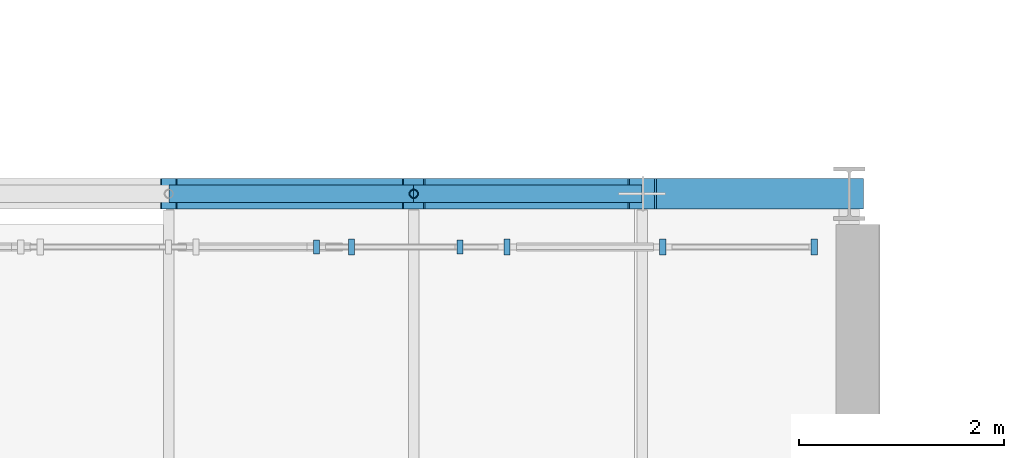
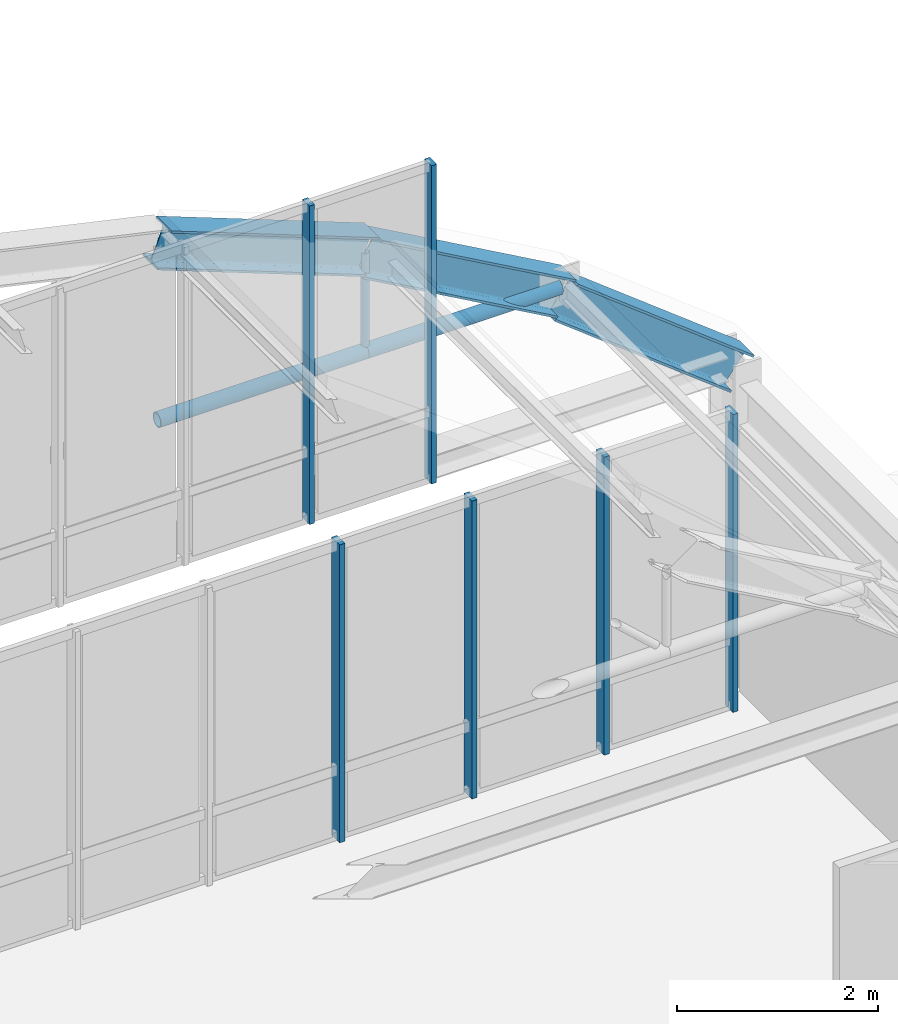
# One storey, part 83 of 148: 9 members, 3 beams, 2 elements without a shape of their own.
"""IFC4 building model written with IfcOpenShell, lengths in metres."""

from ifc_helpers import new_model, si_unit, direction, frame, origin, origin_2d, place, context, subcontext, project, spatial, rectangle, hollow_circle, i_section, extrude, material, layer, layer_set, material_profile, profile_set, type_object, element, aggregate, save


model = new_model("IFC4")

# Units and contexts
model_context = context("Model", 3, precision=1e-05, world=origin(), true_north=direction((0.0, 1.0)))
body_context = subcontext(model_context, "Body", "Model", "MODEL_VIEW")
ifc_project = project(units=[si_unit("LENGTHUNIT", "METRE"), si_unit("AREAUNIT", "SQUARE_METRE"), si_unit("VOLUMEUNIT", "CUBIC_METRE"), si_unit("PLANEANGLEUNIT", "RADIAN"), si_unit("MASSUNIT", "GRAM", prefix="KILO"), si_unit("THERMODYNAMICTEMPERATUREUNIT", "KELVIN"), si_unit("POWERUNIT", "WATT")], contexts=[model_context])

# Site, building, storey
site_placement = place(None, origin())
site = spatial("IfcSite", under=ifc_project, at=site_placement, CompositionType="ELEMENT")
building_placement = place(site_placement, origin())
building = spatial("IfcBuilding", under=site, at=building_placement, Name="Solvatero Civic Police Headquarters", CompositionType="ELEMENT")
storey_placement = place(building_placement, frame((0.0, 0.0, 5.10009765625)))
storey = spatial("IfcBuildingStorey", under=building, at=storey_placement, Name="L01", CompositionType="ELEMENT", Elevation=5.10009765625)

# Beams
ifc_material_1 = material(Name="Steel S355", Category="steel")
ifc_material_profile_1 = material_profile(ifc_material_1, i_section(OverallWidth=0.300048828125, OverallDepth=0.449951171875, WebThickness=0.013916015625, FlangeThickness=0.02587890625, FilletRadius=0.027099609375, at=origin_2d()), Name="HEB 450")
ifc_profile_set_1 = profile_set([ifc_material_profile_1], Name="Steel S355")
beam_type = type_object("IfcBeamType", Name="BM-ST-HEB450", PredefinedType="BEAM", material=ifc_profile_set_1)
for number, where, z_axis, x_axis, name in (
    (1, (115.55517578125, 46.800048828125, 7.53955078125), (0.933355429458, 0.0, -0.358953537802), (0.0, 1.0, 0.0), "VLT1 Tied-Arch Vault Top Chord F8.8"),
    (2, (117.946533203125, 46.800048828125, 6.590087890625), (0.870765086908, 0.0, -0.491699261156), (0.0, 1.0, 0.0), "VLT1 Tied-Arch Vault Top Chord F8.9"),
    (3, (120.177490234375, 46.800048828125, 5.284912109375), (0.789403525995, 0.0, -0.613874639602), (0.0, 1.0, 0.0), "VLT1 Tied-Arch Vault Top Chord F8.10"),
):
    element("IfcBeam", number, at=place(storey_placement, frame(where, z_axis=z_axis, x_axis=x_axis)), inside=storey, type_object=beam_type, Name=name, PredefinedType="BEAM", context=body_context, shape_type="SweptSolid", body=[
        extrude(i_section(OverallWidth=0.300048828125, OverallDepth=0.449951171875, WebThickness=0.013916015625, FlangeThickness=0.02587890625, FilletRadius=0.027099609375, at=origin_2d()), origin(), (0.0, 0.0, 1.0), 2.56201171875),
    ])

# Curtain wall, members
ifc_material_2 = material(Name="Anodized Bronze Aluminium", Category="aluminium")
ifc_layer_1 = layer(ifc_material_2, 0.179931640625)
ifc_layer_set_1 = layer_set([ifc_layer_1], Name="Anodized Bronze Aluminium")
curtain_wall_type_1 = type_object("IfcCurtainWallType", Name="CW-VLT-TYMP", PredefinedType="USERDEFINED", material=ifc_layer_set_1)
curtain_wall_1_placement = place(storey_placement, origin())
curtain_wall_1 = element("IfcCurtainWall", 4, at=curtain_wall_1_placement, inside=storey, type_object=curtain_wall_type_1, Name="Curtain Wall CW-R2-L01-VLT1-N", ObjectType="UNITISED", PredefinedType="USERDEFINED")
ifc_material_profile_2 = material_profile(ifc_material_2, rectangle(XDim=0.06005859375, YDim=0.139892578125, at=origin_2d()), Name="ALU MULLION 60x140")
ifc_profile_set_2 = profile_set([ifc_material_profile_2], Name="Anodized Bronze Aluminium")
member_type_1 = type_object("IfcMemberType", Name="CWM-160x65", PredefinedType="MULLION", material=ifc_profile_set_2)
member_1_placement = place(storey_placement, frame((116.996337890625, 46.280029296875, 3.97998046875), z_axis=(0.0, 0.0, 1.0), x_axis=(1.0, 0.0, 0.0)))
member_1 = element("IfcMember", 5, at=member_1_placement, type_object=member_type_1, Name="CW-R2-L01-VLT1-N Mullion 11", PredefinedType="MULLION", context=body_context, shape_type="SweptSolid", body=[
    extrude(rectangle(XDim=0.06005859375, YDim=0.139892578125, at=origin_2d()), origin(), (0.0, 0.0, 1.0), 3.869873046875),
])
member_2_placement = place(storey_placement, frame((118.39990234375, 46.280029296875, 3.97998046875), z_axis=(0.0, 0.0, 1.0), x_axis=(1.0, 0.0, 0.0)))
member_2 = element("IfcMember", 6, at=member_2_placement, type_object=member_type_1, Name="CW-R2-L01-VLT1-N Mullion 12", PredefinedType="MULLION", context=body_context, shape_type="SweptSolid", body=[
    extrude(rectangle(XDim=0.06005859375, YDim=0.139892578125, at=origin_2d()), origin(), (0.0, 0.0, 1.0), 3.869873046875),
])
aggregate(curtain_wall_1, [member_1, member_2])

ifc_layer_2 = layer(ifc_material_2, 0.179931640625)
ifc_layer_set_2 = layer_set([ifc_layer_2], Name="Anodized Bronze Aluminium")
curtain_wall_type_2 = type_object("IfcCurtainWallType", Name="CW-HAL-GLZ", PredefinedType="USERDEFINED", material=ifc_layer_set_2)
curtain_wall_2_placement = place(storey_placement, origin())
curtain_wall_2 = element("IfcCurtainWall", 7, at=curtain_wall_2_placement, inside=storey, type_object=curtain_wall_type_2, Name="Curtain Wall CW-R2-L01-V1-N", ObjectType="UNITISED", PredefinedType="USERDEFINED")
ifc_material_profile_3 = material_profile(ifc_material_2, rectangle(XDim=0.06005859375, YDim=0.159912109375, at=origin_2d()), Name="ALU MULLION 60x160")
ifc_profile_set_3 = profile_set([ifc_material_profile_3], Name="Anodized Bronze Aluminium")
member_type_2 = type_object("IfcMemberType", Name="CWM-180x70", PredefinedType="MULLION", material=ifc_profile_set_3)
member_3_placement = place(storey_placement, frame((117.3388671875, 46.280029296875, 0.0), z_axis=(0.0, 0.0, 1.0), x_axis=(1.0, 0.0, 0.0)))
member_3 = element("IfcMember", 8, at=member_3_placement, type_object=member_type_2, Name="CW-R2-L01-V1-N Mullion 13", PredefinedType="MULLION", context=body_context, shape_type="SweptSolid", body=[
    extrude(rectangle(XDim=0.06005859375, YDim=0.159912109375, at=origin_2d()), origin(), (0.0, 0.0, 1.0), 3.619873046875),
])
member_4_placement = place(storey_placement, frame((118.8583984375, 46.280029296875, 0.0), z_axis=(0.0, 0.0, 1.0), x_axis=(1.0, 0.0, 0.0)))
member_4 = element("IfcMember", 9, at=member_4_placement, type_object=member_type_2, Name="CW-R2-L01-V1-N Mullion 14", PredefinedType="MULLION", context=body_context, shape_type="SweptSolid", body=[
    extrude(rectangle(XDim=0.06005859375, YDim=0.159912109375, at=origin_2d()), origin(), (0.0, 0.0, 1.0), 3.619873046875),
])
member_5_placement = place(storey_placement, frame((120.37841796875, 46.280029296875, 0.0), z_axis=(0.0, 0.0, 1.0), x_axis=(1.0, 0.0, 0.0)))
member_5 = element("IfcMember", 10, at=member_5_placement, type_object=member_type_2, Name="CW-R2-L01-V1-N Mullion 15", PredefinedType="MULLION", context=body_context, shape_type="SweptSolid", body=[
    extrude(rectangle(XDim=0.06005859375, YDim=0.159912109375, at=origin_2d()), origin(), (0.0, 0.0, 1.0), 3.619873046875),
])
member_6_placement = place(storey_placement, frame((121.85791015625, 46.280029296875, 0.0), z_axis=(0.0, 0.0, 1.0), x_axis=(1.0, 0.0, 0.0)))
member_6 = element("IfcMember", 11, at=member_6_placement, type_object=member_type_2, Name="CW-R2-L01-V1-N Mullion 16", PredefinedType="MULLION", context=body_context, shape_type="SweptSolid", body=[
    extrude(rectangle(XDim=0.06005859375, YDim=0.159912109375, at=origin_2d()), origin(), (0.0, 0.0, 1.0), 3.619873046875),
])
aggregate(curtain_wall_2, [member_3, member_4, member_5, member_6])

# Members
ifc_material_profile_4 = material_profile(ifc_material_1, hollow_circle(Radius=0.04443359375, WallThickness=0.00634765625, at=origin_2d()), Name="CHS 88.9x6.3")
ifc_profile_set_4 = profile_set([ifc_material_profile_4], Name="Steel S355")
member_type_3 = type_object("IfcMemberType", Name="MB-HNG-CHS89", PredefinedType="STRUT", material=ifc_profile_set_4)
member_7_placement = place(storey_placement, frame((117.946533203125, 46.800048828125, 5.431640625), z_axis=(0.0, 0.0, 1.0), x_axis=(1.0, 0.0, 0.0)))
element("IfcMember", 12, at=member_7_placement, inside=storey, type_object=member_type_3, Name="VLT1 Vault Vertical Hanger F8.8", PredefinedType="STRUT", context=body_context, shape_type="SweptSolid", body=[
    extrude(hollow_circle(Radius=0.04443359375, WallThickness=0.00634765625, at=origin_2d()), origin(), (0.0, 0.0, 1.0), 1.169677734375),
])
ifc_material_profile_5 = material_profile(ifc_material_1, hollow_circle(Radius=0.084228515625, WallThickness=0.010009765625, at=origin_2d()), Name="CHS 168.3x10.0")
ifc_profile_set_5 = profile_set([ifc_material_profile_5], Name="Steel S355")
member_type_4 = type_object("IfcMemberType", Name="MB-TIE-CHS168", PredefinedType="CHORD", material=ifc_profile_set_5)
member_8_placement = place(storey_placement, frame((115.55517578125, 46.800048828125, 5.3916015625), z_axis=(1.0, 0.0, 0.0), x_axis=(0.0, 1.0, 0.0)))
element("IfcMember", 13, at=member_8_placement, inside=storey, type_object=member_type_4, Name="VLT1 Vault Horizontal Tie Chord F8.7", PredefinedType="CHORD", context=body_context, shape_type="SweptSolid", body=[
    extrude(hollow_circle(Radius=0.084228515625, WallThickness=0.010009765625, at=origin_2d()), origin(), (0.0, 0.0, 1.0), 2.391357421875),
])
member_9_placement = place(storey_placement, frame((117.946533203125, 46.800048828125, 5.3916015625), z_axis=(1.0, 0.0, 0.0), x_axis=(0.0, 1.0, 0.0)))
element("IfcMember", 14, at=member_9_placement, inside=storey, type_object=member_type_4, Name="VLT1 Vault Horizontal Tie Chord F8.8", PredefinedType="CHORD", context=body_context, shape_type="SweptSolid", body=[
    extrude(hollow_circle(Radius=0.084228515625, WallThickness=0.010009765625, at=origin_2d()), origin(), (0.0, 0.0, 1.0), 2.23095703125),
])

save(model, "model.ifc")
